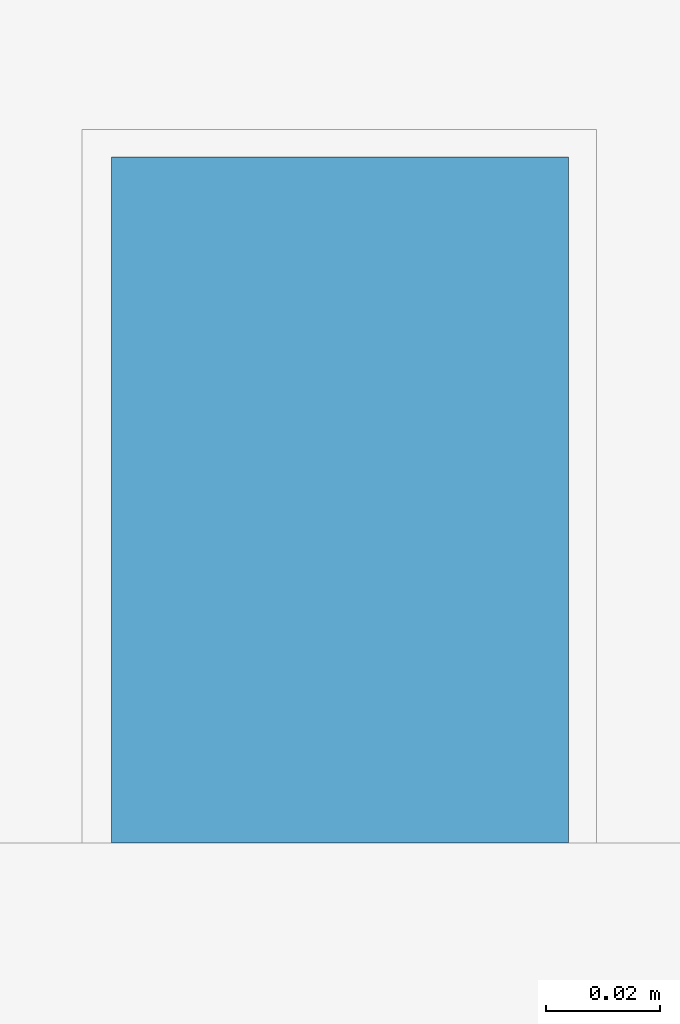
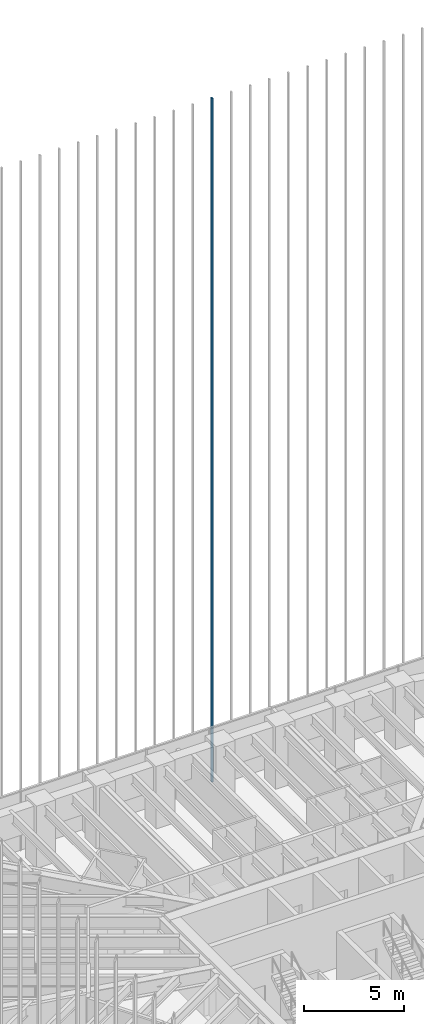
# One storey, part 89 of 127: 1 member, 1 element without a shape of its own.
"""IFC4 building model written with IfcOpenShell, lengths in metres."""

from ifc_helpers import new_model, si_unit, direction, frame, origin, origin_2d, place, context, subcontext, project, spatial, rectangle, extrude, material, material_profile, profile_set, type_object, element, aggregate, save


model = new_model("IFC4")

# Units and contexts
model_context = context("Model", 3, precision=1e-05, world=origin(), true_north=direction((0.0, 1.0)))
body_context = subcontext(model_context, "Body", "Model", "MODEL_VIEW")
ifc_project = project(units=[si_unit("LENGTHUNIT", "METRE"), si_unit("AREAUNIT", "SQUARE_METRE"), si_unit("VOLUMEUNIT", "CUBIC_METRE"), si_unit("PLANEANGLEUNIT", "RADIAN"), si_unit("MASSUNIT", "GRAM", prefix="KILO")], contexts=[model_context])

# Site, building, storey
site_placement = place(None, origin())
site = spatial("IfcSite", under=ifc_project, at=site_placement, CompositionType="ELEMENT")
building_placement = place(site_placement, origin())
building = spatial("IfcBuilding", under=site, at=building_placement, Name="Sandreach Pilgrim Tower", CompositionType="ELEMENT")
storey_placement = place(building_placement, frame((0.0, 0.0, 257.0)))
storey = spatial("IfcBuildingStorey", under=building, at=storey_placement, Name="L64", CompositionType="ELEMENT", Elevation=257.0)

# Curtain wall, member
ifc_material_1 = material(Name="Aluminium framed curtain wall", Category="aluminium")
curtain_wall_type = type_object("IfcCurtainWallType", Name="Suite tower curtain wall", PredefinedType="NOTDEFINED", material=ifc_material_1)
curtain_wall_placement = place(storey_placement, origin())
curtain_wall = element("IfcCurtainWall", 1, at=curtain_wall_placement, inside=storey, type_object=curtain_wall_type, Name="CW-4 L64 N", PredefinedType="NOTDEFINED")
ifc_material_2 = material(Name="Extruded terracotta on aluminium core", Category="masonry")
ifc_material_profile = material_profile(ifc_material_2, rectangle(XDim=0.080078125, YDim=0.1201171875, at=origin_2d()), Name="TBN 80X120")
ifc_profile_set = profile_set([ifc_material_profile], Name="Extruded terracotta on aluminium core")
member_type = type_object("IfcMemberType", Name="Terracotta baguette north", PredefinedType="USERDEFINED", material=ifc_profile_set)
member_placement = place(storey_placement, frame((2.200927734375, 20.1865234375, 0.0), z_axis=(0.0, 0.0, 1.0), x_axis=(1.0, 0.0, 0.0)))
member = element("IfcMember", 2, at=member_placement, type_object=member_type, Name="Baguette Z4 N17", ObjectType="BAGUETTE", PredefinedType="USERDEFINED", context=body_context, shape_type="SweptSolid", body=[
    extrude(rectangle(XDim=0.080078125, YDim=0.1201171875, at=origin_2d()), origin(), (0.0, 0.0, 1.0), 41.639892578125),
])
aggregate(curtain_wall, [member])

save(model, "model.ifc")
